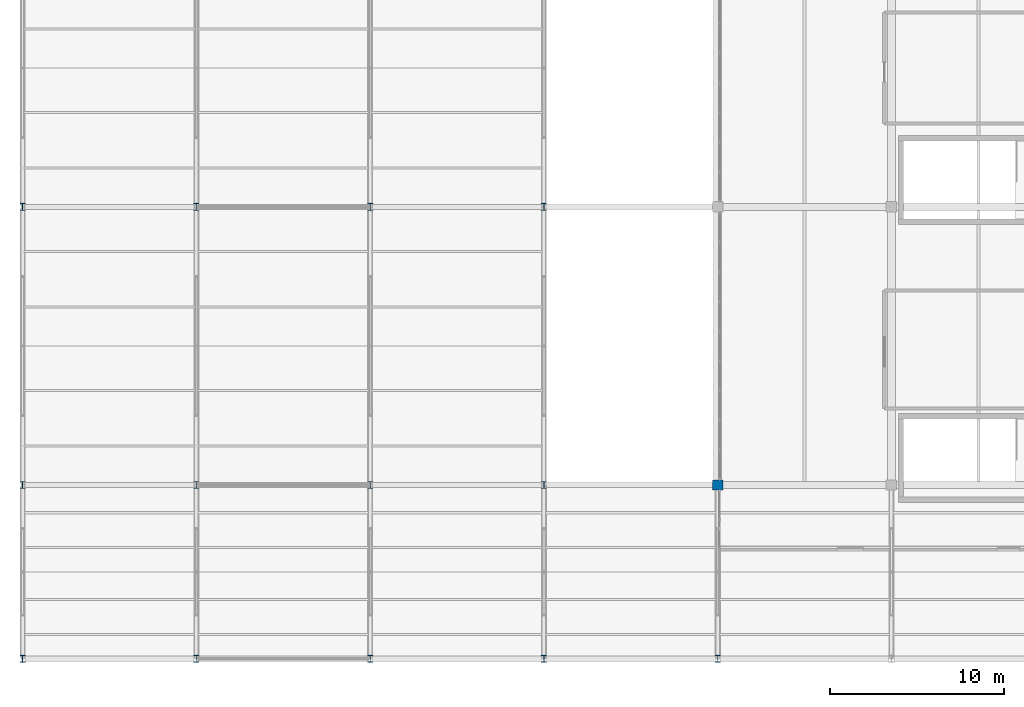
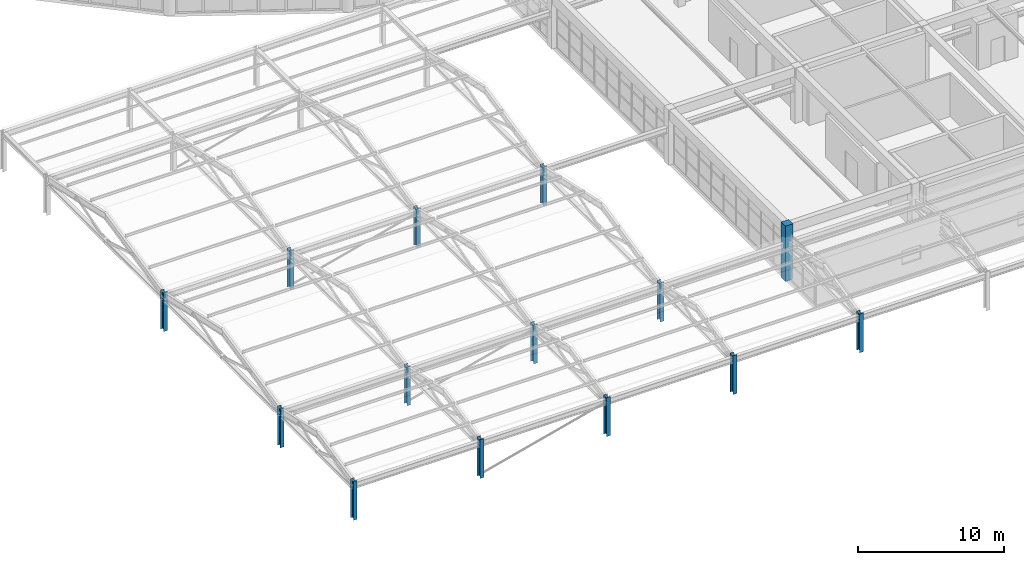
# One storey, part 1 of 109: 14 columns.
"""IFC4 building model written with IfcOpenShell, lengths in metres."""

import ifcopenshell
import ifcopenshell.guid

model = None  # the IFC model being written
_history = None  # IfcOwnerHistory: only IFC2X3 demands one
_inside = {}  # id of a spatial element -> (the spatial element, [elements in it])
_under = {}  # id of a project, library or spatial element -> (it, [spatial elements below it])
_declared = {}  # id of a project -> (the project, [libraries it declares])
_typed = {}  # id of a type object -> (the type object, [elements of that type])
_made_of = {}  # id of a material, layer set ... -> (it, [elements and type objects made of it])


def new_model(schema):
    """Start an empty IFC model of exactly this schema.

    Asked for "IFC4X3", IfcOpenShell would pick the latest addendum, in which some entities
    have other attributes; the version numbers below select the first issue.
    IFC2X3 requires an IfcOwnerHistory on every rooted entity: one is made here for all.
    """
    global model, _history
    if schema == "IFC4X3":
        model = ifcopenshell.file(schema_version=(4, 3, 0, 0))
    else:
        model = ifcopenshell.file(schema=schema)
    _inside.clear()
    _under.clear()
    _declared.clear()
    _typed.clear()
    _made_of.clear()
    _history = None
    if model.schema == "IFC2X3":
        org = make("IfcOrganization", Name="unknown")
        user = make(
            "IfcPersonAndOrganization",
            ThePerson=make("IfcPerson", FamilyName="unknown"),
            TheOrganization=org,
        )
        app = make(
            "IfcApplication",
            ApplicationDeveloper=org,
            Version="unknown",
            ApplicationFullName="unknown",
            ApplicationIdentifier="unknown",
        )
        _history = make(
            "IfcOwnerHistory",
            OwningUser=user,
            OwningApplication=app,
            ChangeAction="ADDED",
            CreationDate=0,
        )
    return model


def make(cls, **values):
    """One entity of the class cls with the attributes given. An attribute that is None is left unset."""
    return model.create_entity(
        cls, **{name: value for name, value in values.items() if value is not None}
    )


def rooted(cls, **values):
    """An entity with a GlobalId (a new one), such as an element, a storey or a relation."""
    return make(cls, GlobalId=ifcopenshell.guid.new(), OwnerHistory=_history, **values)


def si_unit(unit_type, name, prefix=None):
    """IfcSIUnit, for example si_unit("LENGTHUNIT", "METRE", prefix="MILLI")."""
    return make("IfcSIUnit", UnitType=unit_type, Prefix=prefix, Name=name)


def assignment(units):
    """IfcUnitAssignment: the units of a project."""
    return None if units is None else make("IfcUnitAssignment", Units=units)


def point(xyz):
    """IfcCartesianPoint."""
    return None if xyz is None else make("IfcCartesianPoint", Coordinates=xyz)


def direction(xyz):
    """IfcDirection."""
    return None if xyz is None else make("IfcDirection", DirectionRatios=xyz)


def frame(location, z_axis=None, x_axis=None):
    """IfcAxis2Placement3D, a coordinate frame: its origin and axes. An axis left out is left unset."""
    return make(
        "IfcAxis2Placement3D",
        Location=point(location),
        Axis=direction(z_axis),
        RefDirection=direction(x_axis),
    )


def frame_2d(location, x_axis=None):
    """IfcAxis2Placement2D, a coordinate frame in the plane: its origin and x axis."""
    return make(
        "IfcAxis2Placement2D", Location=point(location), RefDirection=direction(x_axis)
    )


def origin():
    """The frame at (0, 0, 0) with its axes left unset."""
    return frame((0.0, 0.0, 0.0))


def origin_2d():
    """The frame at (0, 0) in the plane with its x axis left unset."""
    return frame_2d((0.0, 0.0))


def place(relative_to, where):
    """IfcLocalPlacement: puts the frame where relative to a parent placement (None: the world)."""
    return make(
        "IfcLocalPlacement", PlacementRelTo=relative_to, RelativePlacement=where
    )


def context(
    kind, dimensions, precision=None, world=None, true_north=None, identifier=None
):
    """IfcGeometricRepresentationContext, for example the 3D "Model" context."""
    return make(
        "IfcGeometricRepresentationContext",
        ContextIdentifier=identifier,
        ContextType=kind,
        CoordinateSpaceDimension=dimensions,
        Precision=precision,
        WorldCoordinateSystem=world,
        TrueNorth=true_north,
    )


def subcontext(parent, identifier, kind, view, scale=None):
    """IfcGeometricRepresentationSubContext, for example "Body" below "Model"."""
    return make(
        "IfcGeometricRepresentationSubContext",
        ContextIdentifier=identifier,
        ContextType=kind,
        ParentContext=parent,
        TargetScale=scale,
        TargetView=view,
    )


def project(units=None, contexts=None):
    """IfcProject with its units and contexts."""
    return rooted(
        "IfcProject",
        Name="project",
        RepresentationContexts=contexts,
        UnitsInContext=assignment(units),
    )


def spatial(cls, under=None, at=None, **own):
    """A site, building, storey or space (cls), placed at a placement, below another one or the project."""
    s = rooted(cls, ObjectPlacement=at, **own)
    if under is not None:
        _under.setdefault(under.id(), (under, []))[1].append(s)
    return s


def profile(cls, at=None, kind="AREA", **sizes):
    """A parametric profile (cls). Its sizes go by their IFC names, for example OverallWidth=200.0."""
    return make(cls, ProfileType=kind, Position=at, **sizes)


def rectangle(**sizes):
    """IfcRectangleProfileDef."""
    return profile("IfcRectangleProfileDef", **sizes)


def i_section(**sizes):
    """IfcIShapeProfileDef."""
    return profile("IfcIShapeProfileDef", **sizes)


def extrude(swept, where, along, depth):
    """IfcExtrudedAreaSolid: the profile swept, set in the frame where, extruded along a direction by depth."""
    return make(
        "IfcExtrudedAreaSolid",
        SweptArea=swept,
        Position=where,
        ExtrudedDirection=direction(along),
        Depth=depth,
    )


def shape(context_of_items, identifier, shape_type, items):
    """IfcShapeRepresentation: the items that make up one representation, for example the "Body"."""
    return make(
        "IfcShapeRepresentation",
        ContextOfItems=context_of_items,
        RepresentationIdentifier=identifier,
        RepresentationType=shape_type,
        Items=items,
    )


def material(Name=None, Category=None):
    """IfcMaterial."""
    return make("IfcMaterial", Name=Name, Category=Category)


def material_profile(
    of_material, cross_section, Name=None, Category=None, Priority=None
):
    """IfcMaterialProfile: a cross section and its material."""
    return make(
        "IfcMaterialProfile",
        Name=Name,
        Material=of_material,
        Profile=cross_section,
        Priority=Priority,
        Category=Category,
    )


def profile_set(profiles, Name=None, composite=None):
    """IfcMaterialProfileSet."""
    return make(
        "IfcMaterialProfileSet",
        Name=Name,
        MaterialProfiles=profiles,
        CompositeProfile=composite,
    )


def made_of(thing, what):
    """Note that an element or type object is made of a material, layer set ...; save() writes the relation."""
    if what is not None:
        _made_of.setdefault(what.id(), (what, []))[1].append(thing)
    return thing


def type_object(cls, material=None, **own):
    """A type object (cls), such as IfcWallType, which elements share."""
    return made_of(rooted(cls, **own), material)


def element(
    cls,
    number,
    at=None,
    inside=None,
    cuts=None,
    type_object=None,
    material=None,
    context=None,
    identifier="Body",
    shape_type=None,
    held_by="IfcProductDefinitionShape",
    body=None,
    shapes=None,
    **own,
):
    """One element of the class cls, such as IfcWall. Its Tag is "e" and its number.

    at: its placement. inside: the storey or other place that contains it. cuts: it is an
    opening in that element (IfcRelVoidsElement). A single representation is given by context,
    identifier, shape_type and body (its items); several are given by shapes. held_by: the class
    of the entity that holds the representations. save() writes the other relations.
    """
    e = rooted(cls, Tag="e%d" % number, ObjectPlacement=at, **own)
    if body is not None:
        shapes = [shape(context, identifier, shape_type, body)]
    if shapes is not None:
        e.Representation = make(held_by, Representations=shapes)
    if inside is not None:
        _inside.setdefault(inside.id(), (inside, []))[1].append(e)
    if cuts is not None:
        rooted(
            "IfcRelVoidsElement", RelatingBuildingElement=cuts, RelatedOpeningElement=e
        )
    if type_object is not None:
        _typed.setdefault(type_object.id(), (type_object, []))[1].append(e)
    return made_of(e, material)


def aggregate(whole, parts):
    """IfcRelAggregates: a whole, such as a stair, and the parts it consists of."""
    return rooted("IfcRelAggregates", RelatingObject=whole, RelatedObjects=parts)


def save(model, path):
    """Write the relations noted so far, then the file.

    IfcRelAggregates (storeys below a building ...), IfcRelContainedInSpatialStructure (elements
    in a storey), IfcRelDefinesByType, IfcRelAssociatesMaterial and IfcRelDeclares: one each for
    every whole, place, type object, material and project.
    """
    for whole, parts in _under.values():
        aggregate(whole, parts)
    for where, things in _inside.values():
        rooted(
            "IfcRelContainedInSpatialStructure",
            RelatedElements=things,
            RelatingStructure=where,
        )
    for kind, things in _typed.values():
        rooted("IfcRelDefinesByType", RelatedObjects=things, RelatingType=kind)
    for what, things in _made_of.values():
        rooted("IfcRelAssociatesMaterial", RelatedObjects=things, RelatingMaterial=what)
    for by, libraries in _declared.values():
        rooted("IfcRelDeclares", RelatingContext=by, RelatedDefinitions=libraries)
    model.write(path)


model = new_model("IFC4")

# Units and contexts
model_context = context("Model", 3, precision=1e-05, world=origin(), true_north=direction((0.0, 1.0)))
body_context = subcontext(model_context, "Body", "Model", "MODEL_VIEW")
ifc_project = project(units=[si_unit("LENGTHUNIT", "METRE"), si_unit("AREAUNIT", "SQUARE_METRE"), si_unit("VOLUMEUNIT", "CUBIC_METRE"), si_unit("PLANEANGLEUNIT", "RADIAN"), si_unit("MASSUNIT", "GRAM", prefix="KILO")], contexts=[model_context])

# Site, building, storey
site_placement = place(None, origin())
site = spatial("IfcSite", under=ifc_project, at=site_placement, CompositionType="ELEMENT")
building_placement = place(site_placement, origin())
building = spatial("IfcBuilding", under=site, at=building_placement, Name="Kivolera Central Railway Station", CompositionType="ELEMENT")
storey_placement = place(building_placement, frame((0.0, 0.0, 9.60009765625)))
storey = spatial("IfcBuildingStorey", under=building, at=storey_placement, Name="L02", CompositionType="ELEMENT", Elevation=9.60009765625)

# Columns
ifc_material_1 = material(Name="Concrete C40/50", Category="concrete")
ifc_material_profile_1 = material_profile(ifc_material_1, rectangle(XDim=0.60009765625, YDim=0.60009765625, at=origin_2d()), Name="RC 600x600")
ifc_profile_set_1 = profile_set([ifc_material_profile_1], Name="Concrete C40/50")
column_type_1 = type_object("IfcColumnType", Name="COL-RC-600", PredefinedType="COLUMN", material=ifc_profile_set_1)
column_placement = place(storey_placement, frame((48.0, 16.0, 0.0), z_axis=(0.0, 0.0, 1.0), x_axis=(1.0, 0.0, 0.0)))
element("IfcColumn", 1, at=column_placement, inside=storey, type_object=column_type_1, Name="L02 Train Shed Upper Mast 5-B", PredefinedType="COLUMN", context=body_context, shape_type="SweptSolid", body=[
    extrude(rectangle(XDim=0.60009765625, YDim=0.60009765625, at=origin_2d()), origin(), (0.0, 0.0, 1.0), 4.619873046875),
])
ifc_material_2 = material(Name="Steel S355", Category="steel")
ifc_material_profile_2 = material_profile(ifc_material_2, i_section(OverallWidth=0.300048828125, OverallDepth=0.39990234375, WebThickness=0.013427734375, FlangeThickness=0.02392578125, FilletRadius=0.027099609375, at=origin_2d()), Name="HEB 400")
ifc_profile_set_2 = profile_set([ifc_material_profile_2], Name="Steel S355")
column_type_2 = type_object("IfcColumnType", Name="COL-STL-HEB400", PredefinedType="COLUMN", material=ifc_profile_set_2)
for number, where, z_axis, x_axis, name in (
    (2, (8.0, 6.0, 0.0), (0.0, 0.0, 1.0), (1.0, 0.0, 0.0), "L02 Train Shed Upper Mast 1-A"),
    (3, (8.0, 16.0, 0.0), (0.0, 0.0, 1.0), (1.0, 0.0, 0.0), "L02 Train Shed Upper Mast 1-B"),
    (4, (8.0, 32.0, 0.0), (0.0, 0.0, 1.0), (1.0, 0.0, 0.0), "L02 Train Shed Upper Mast 1-C"),
    (5, (18.0, 6.0, 0.0), (0.0, 0.0, 1.0), (1.0, 0.0, 0.0), "L02 Train Shed Upper Mast 2-A"),
    (6, (18.0, 16.0, 0.0), (0.0, 0.0, 1.0), (1.0, 0.0, 0.0), "L02 Train Shed Upper Mast 2-B"),
    (7, (18.0, 32.0, 0.0), (0.0, 0.0, 1.0), (1.0, 0.0, 0.0), "L02 Train Shed Upper Mast 2-C"),
    (8, (28.0, 6.0, 0.0), (0.0, 0.0, 1.0), (1.0, 0.0, 0.0), "L02 Train Shed Upper Mast 3-A"),
    (9, (28.0, 16.0, 0.0), (0.0, 0.0, 1.0), (1.0, 0.0, 0.0), "L02 Train Shed Upper Mast 3-B"),
    (10, (28.0, 32.0, 0.0), (0.0, 0.0, 1.0), (1.0, 0.0, 0.0), "L02 Train Shed Upper Mast 3-C"),
    (11, (38.0, 6.0, 0.0), (0.0, 0.0, 1.0), (1.0, 0.0, 0.0), "L02 Train Shed Upper Mast 4-A"),
    (12, (38.0, 16.0, 0.0), (0.0, 0.0, 1.0), (1.0, 0.0, 0.0), "L02 Train Shed Upper Mast 4-B"),
    (13, (38.0, 32.0, 0.0), (0.0, 0.0, 1.0), (1.0, 0.0, 0.0), "L02 Train Shed Upper Mast 4-C"),
    (14, (48.0, 6.0, 0.0), (0.0, 0.0, 1.0), (1.0, 0.0, 0.0), "L02 Train Shed Upper Mast 5-A"),
):
    element("IfcColumn", number, at=place(storey_placement, frame(where, z_axis=z_axis, x_axis=x_axis)), inside=storey, type_object=column_type_2, Name=name, PredefinedType="COLUMN", context=body_context, shape_type="SweptSolid", body=[
        extrude(i_section(OverallWidth=0.300048828125, OverallDepth=0.39990234375, WebThickness=0.013427734375, FlangeThickness=0.02392578125, FilletRadius=0.027099609375, at=origin_2d()), origin(), (0.0, 0.0, 1.0), 3.25),
    ])

save(model, "model.ifc")
